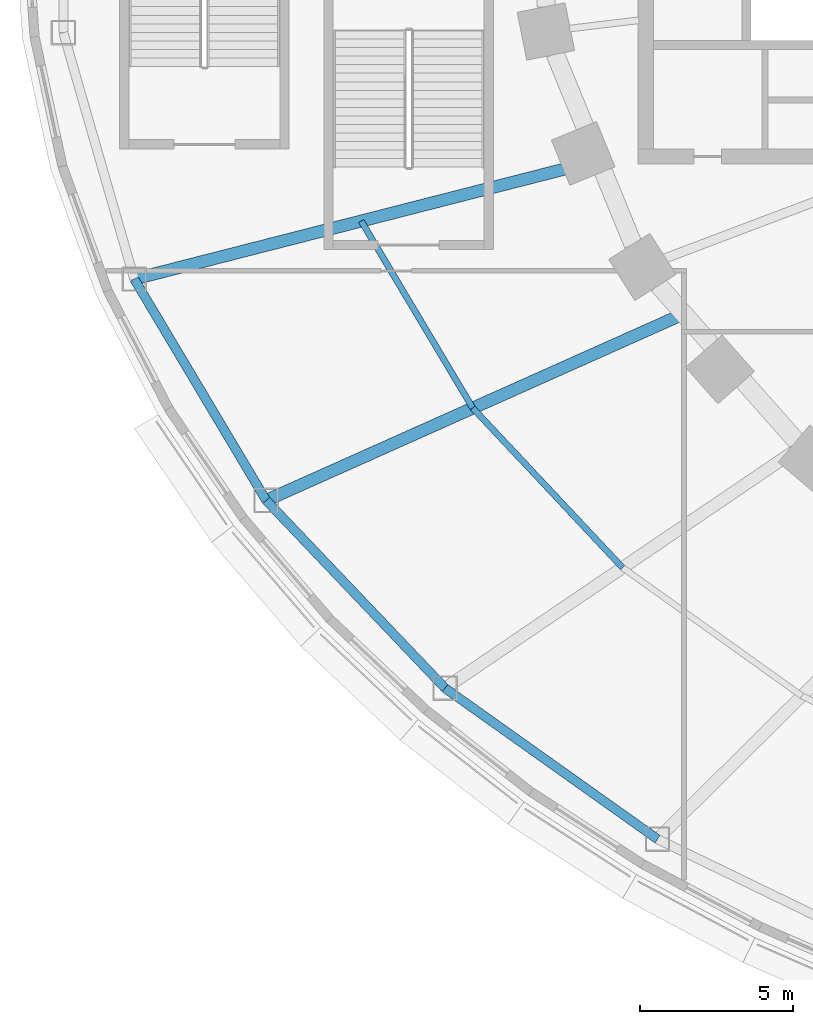
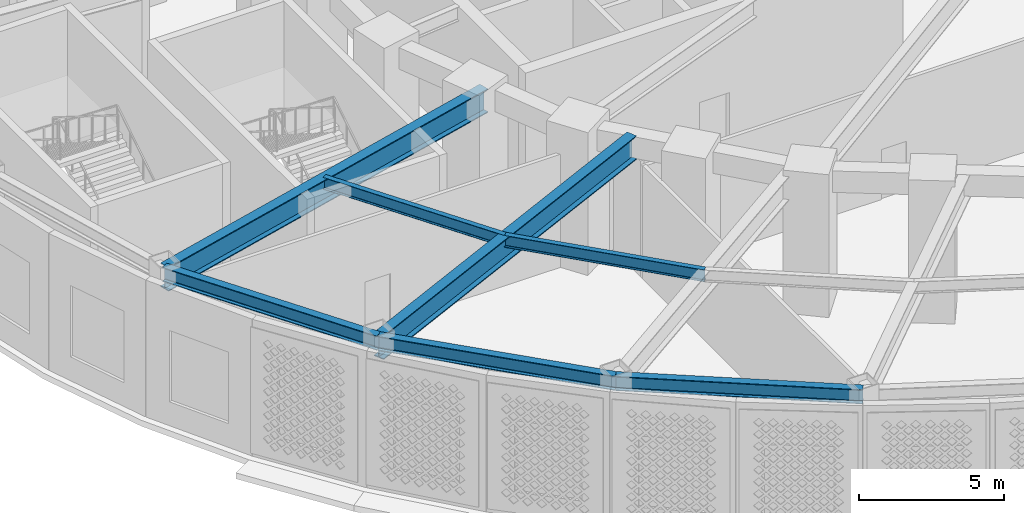
# One storey, part 8 of 74: 7 beams.
"""IFC4 building model written with IfcOpenShell, lengths in metres."""

from ifc_helpers import new_model, si_unit, direction, frame, origin, origin_2d, place, context, subcontext, project, spatial, i_section, extrude, material, material_profile, profile_set, type_object, element, save


model = new_model("IFC4")

# Units and contexts
model_context = context("Model", 3, precision=1e-05, world=origin(), true_north=direction((0.0, 1.0)))
body_context = subcontext(model_context, "Body", "Model", "MODEL_VIEW")
ifc_project = project(units=[si_unit("LENGTHUNIT", "METRE"), si_unit("AREAUNIT", "SQUARE_METRE"), si_unit("VOLUMEUNIT", "CUBIC_METRE"), si_unit("PLANEANGLEUNIT", "RADIAN"), si_unit("MASSUNIT", "GRAM", prefix="KILO")], contexts=[model_context])

# Site, building, storey
site_placement = place(None, origin())
site = spatial("IfcSite", under=ifc_project, at=site_placement, CompositionType="ELEMENT")
building_placement = place(site_placement, origin())
building = spatial("IfcBuilding", under=site, at=building_placement, Name="Noorbagh Ring Tower", CompositionType="ELEMENT")
storey_placement = place(building_placement, frame((0.0, 0.0, 13.5)))
storey = spatial("IfcBuildingStorey", under=building, at=storey_placement, Name="L02", CompositionType="ELEMENT", Elevation=13.5)

# Beams
ifc_material_1 = material(Name="Steel S355", Category="steel")
ifc_material_profile_1 = material_profile(ifc_material_1, i_section(OverallWidth=0.300048828125, OverallDepth=0.60009765625, WebThickness=0.015380859375, FlangeThickness=0.030029296875, FilletRadius=0.027099609375, at=origin_2d()), Name="HEB600")
ifc_profile_set_1 = profile_set([ifc_material_profile_1], Name="Steel S355")
beam_type_1 = type_object("IfcBeamType", Name="GND-EDGE-BEAM-HEB600", PredefinedType="BEAM", material=ifc_profile_set_1)
beam_1_placement = place(storey_placement, frame((-48.0224609375, -12.266845703125, 5.449951171875), z_axis=(0.511999358166, -0.858985830638, 0.0), x_axis=(0.858985830638, 0.511999358166, 0.0)))
element("IfcBeam", 1, at=beam_1_placement, inside=storey, type_object=beam_type_1, Name="L02/bm/ERP-19", PredefinedType="BEAM", context=body_context, shape_type="SweptSolid", body=[
    extrude(i_section(OverallWidth=0.300048828125, OverallDepth=0.60009765625, WebThickness=0.015380859375, FlangeThickness=0.030029296875, FilletRadius=0.027099609375, at=origin_2d()), origin(), (0.0, 0.0, 1.0), 8.449462890625),
])
beam_2_placement = place(storey_placement, frame((-43.6962890625, -19.52490234375, 5.449951171875), z_axis=(0.689738356688, -0.724058698804, 0.0), x_axis=(0.724058698804, 0.689738356688, 0.0)))
element("IfcBeam", 2, at=beam_2_placement, inside=storey, type_object=beam_type_1, Name="L02/bm/ERP-20", PredefinedType="BEAM", context=body_context, shape_type="SweptSolid", body=[
    extrude(i_section(OverallWidth=0.300048828125, OverallDepth=0.60009765625, WebThickness=0.015380859375, FlangeThickness=0.030029296875, FilletRadius=0.027099609375, at=origin_2d()), origin(), (0.0, 0.0, 1.0), 8.500732421875),
])
beam_3_placement = place(storey_placement, frame((-37.8330078125, -25.679931640625, 5.449951171875), z_axis=(0.815104059745, -0.579314570667, 0.0), x_axis=(0.579314570667, 0.815104059745, 0.0)))
element("IfcBeam", 3, at=beam_3_placement, inside=storey, type_object=beam_type_1, Name="L02/bm/ERP-21", PredefinedType="BEAM", context=body_context, shape_type="SweptSolid", body=[
    extrude(i_section(OverallWidth=0.300048828125, OverallDepth=0.60009765625, WebThickness=0.015380859375, FlangeThickness=0.030029296875, FilletRadius=0.027099609375, at=origin_2d()), origin(), (0.0, 0.0, 1.0), 8.543212890625),
])
ifc_material_2 = material(Name="Steel S355", Category="steel")
ifc_material_profile_2 = material_profile(ifc_material_2, i_section(OverallWidth=0.39990234375, OverallDepth=1.0, WebThickness=0.01611328125, FlangeThickness=0.0400390625, at=origin_2d()), Name="PG1000x400x16x40")
ifc_profile_set_2 = profile_set([ifc_material_profile_2], Name="Steel S355")
beam_type_2 = type_object("IfcBeamType", Name="GND-GIRDER-PG1000x400x16x40", PredefinedType="BEAM", material=ifc_profile_set_2)
beam_4_placement = place(storey_placement, frame((-48.0224609375, -12.266845703125, 5.25), z_axis=(0.968889089752, 0.247495316642, 0.0), x_axis=(-0.247495316642, 0.968889089752, 0.0)))
element("IfcBeam", 4, at=beam_4_placement, inside=storey, type_object=beam_type_2, Name="L02/bm/GRP-19", PredefinedType="BEAM", context=body_context, shape_type="SweptSolid", body=[
    extrude(i_section(OverallWidth=0.39990234375, OverallDepth=1.0, WebThickness=0.01611328125, FlangeThickness=0.0400390625, at=origin_2d()), origin(), (0.0, 0.0, 1.0), 15.35986328125),
])
beam_5_placement = place(storey_placement, frame((-43.6962890625, -19.52490234375, 5.25), z_axis=(0.91299879945, 0.4079622436, 0.0), x_axis=(-0.4079622436, 0.91299879945, 0.0)))
element("IfcBeam", 5, at=beam_5_placement, inside=storey, type_object=beam_type_2, Name="L02/bm/GRP-20", PredefinedType="BEAM", context=body_context, shape_type="SweptSolid", body=[
    extrude(i_section(OverallWidth=0.39990234375, OverallDepth=1.0, WebThickness=0.01611328125, FlangeThickness=0.0400390625, at=origin_2d()), origin(), (0.0, 0.0, 1.0), 14.8359375),
])
ifc_material_3 = material(Name="Steel S355", Category="steel")
ifc_material_profile_3 = material_profile(ifc_material_3, i_section(OverallWidth=0.199951171875, OverallDepth=0.5, WebThickness=0.01025390625, FlangeThickness=0.01611328125, FilletRadius=0.02099609375, at=origin_2d()), Name="IPE500")
ifc_profile_set_3 = profile_set([ifc_material_profile_3], Name="Steel S355")
beam_type_3 = type_object("IfcBeamType", Name="GND-MID-BEAM-IPE500", PredefinedType="JOIST", material=ifc_profile_set_3)
beam_6_placement = place(storey_placement, frame((-40.581298828125, -10.3662109375, 5.5), z_axis=(0.512221226457, -0.858853546984, 0.0), x_axis=(0.858853546984, 0.512221226457, 0.0)))
element("IfcBeam", 6, at=beam_6_placement, inside=storey, type_object=beam_type_3, Name="L02/bm/MRP-19", PredefinedType="JOIST", context=body_context, shape_type="SweptSolid", body=[
    extrude(i_section(OverallWidth=0.199951171875, OverallDepth=0.5, WebThickness=0.01025390625, FlangeThickness=0.01611328125, FilletRadius=0.02099609375, at=origin_2d()), origin(), (0.0, 0.0, 1.0), 7.140380859375),
])
beam_7_placement = place(storey_placement, frame((-36.923828125, -16.498779296875, 5.5), z_axis=(0.684360968268, -0.729143377609, 0.0), x_axis=(0.729143377609, 0.684360968268, 0.0)))
element("IfcBeam", 7, at=beam_7_placement, inside=storey, type_object=beam_type_3, Name="L02/bm/MRP-20", PredefinedType="JOIST", context=body_context, shape_type="SweptSolid", body=[
    extrude(i_section(OverallWidth=0.199951171875, OverallDepth=0.5, WebThickness=0.01025390625, FlangeThickness=0.01611328125, FilletRadius=0.02099609375, at=origin_2d()), origin(), (0.0, 0.0, 1.0), 7.174560546875),
])

save(model, "model.ifc")
